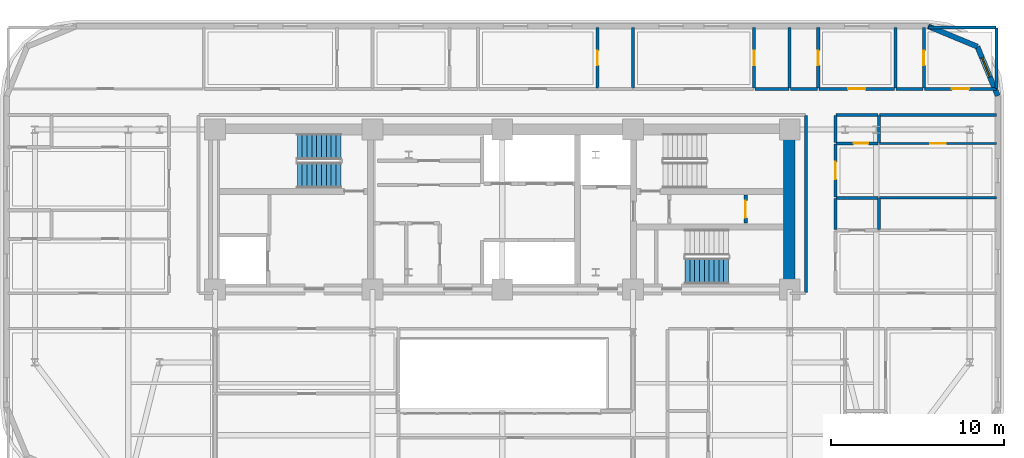
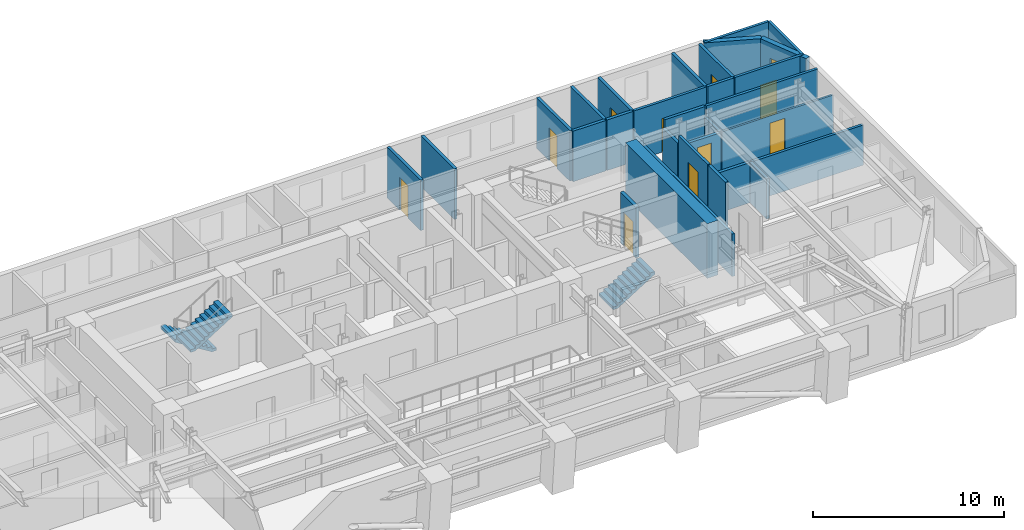
# One storey, part 11 of 15: 30 walls, 10 doors, 3 stair flights, 1 window, 11 openings, 2 elements without a shape of their own.
"""IFC4 building model written with IfcOpenShell, lengths in metres."""

from ifc_helpers import new_model, si_unit, direction, frame, frame_2d, origin, place, context, subcontext, project, spatial, polyline, rectangle, outline, extrude, material, layer, layer_set, type_object, element, fill, aggregate, save


model = new_model("IFC4")

# Units and contexts
model_context = context("Model", 3, precision=1e-05, world=origin(), true_north=direction((0.0, 1.0)))
body_context = subcontext(model_context, "Body", "Model", "MODEL_VIEW")
ifc_project = project(units=[si_unit("LENGTHUNIT", "METRE"), si_unit("AREAUNIT", "SQUARE_METRE"), si_unit("VOLUMEUNIT", "CUBIC_METRE"), si_unit("PLANEANGLEUNIT", "RADIAN"), si_unit("MASSUNIT", "GRAM", prefix="KILO")], contexts=[model_context])

# Site, building, storey
site_placement = place(None, origin())
site = spatial("IfcSite", under=ifc_project, at=site_placement, CompositionType="ELEMENT")
building_placement = place(site_placement, origin())
building = spatial("IfcBuilding", under=site, at=building_placement, Name="Zarnavel Station Tower", CompositionType="ELEMENT")
storey_placement = place(building_placement, frame((0.0, 0.0, 115.300048828125)))
storey = spatial("IfcBuildingStorey", under=building, at=storey_placement, Name="L31", CompositionType="ELEMENT", Elevation=115.300048828125)

# Wall
ifc_material_1 = material(Name="Concrete C60/75", Category="concrete")
ifc_layer_1 = layer(ifc_material_1, 0.64990234375)
ifc_layer_set_1 = layer_set([ifc_layer_1], Name="CW_650")
wall_type_1 = type_object("IfcWallType", Name="CW_650", PredefinedType="SHEAR", material=ifc_layer_set_1)
wall_1_placement = place(storey_placement, frame((45.3798828125, 28.14501953125, 0.0), z_axis=(0.0, 0.0, 1.0), x_axis=(0.0, 1.0, 0.0)))
element("IfcWall", 1, at=wall_1_placement, inside=storey, type_object=wall_type_1, Name="L31 Rear Core Shear Wall E", PredefinedType="SHEAR", context=body_context, shape_type="SweptSolid", body=[
    extrude(rectangle(XDim=8.580078125, YDim=0.64990234375, at=frame_2d((4.2900390625, 0.0))), origin(), (0.0, 0.0, 1.0), 3.5),
])

# Wall, opening, window
ifc_material_2 = material(Name="Precast concrete C45/55 (Dark Basalt Finish)", Category="masonry")
ifc_layer_2 = layer(ifc_material_2, 0.300048828125)
ifc_layer_set_2 = layer_set([ifc_layer_2], Name="EW_BASALT_300")
wall_type_2 = type_object("IfcWallType", Name="EW_BASALT_300", PredefinedType="SOLIDWALL", material=ifc_layer_set_2)
wall_2_placement = place(storey_placement, frame((56.24267578125, 41.842529296875, 0.0), z_axis=(0.0, 0.0, 1.0), x_axis=(0.382636798336, -0.92389884758, 0.0)))
wall_2 = element("IfcWall", 2, at=wall_2_placement, inside=storey, type_object=wall_type_2, Name="L31 Exterior Basalt Masonry Frame Wall 04", PredefinedType="SOLIDWALL", context=body_context, shape_type="SweptSolid", body=[
    extrude(rectangle(XDim=3.07666015625, YDim=0.300048828125, at=frame_2d((1.538330078125, 0.0))), origin(), (0.0, 0.0, 1.0), 3.239990234375),
])
opening_1_placement = place(wall_2_placement, frame((0.69287109375, 0.0, 0.75)))
opening_1 = element("IfcOpeningElement", 3, at=opening_1_placement, cuts=wall_2, Name="Opening WN08", PredefinedType="OPENING", context=body_context, shape_type="SweptSolid", body=[
    extrude(rectangle(XDim=1.199951171875, YDim=1.5, at=frame_2d((0.60009765625, 0.75))), frame((0.0, 0.159912109375, 0.0), z_axis=(0.0, -1.0, 0.0), x_axis=(1.0, 0.0, 0.0)), (0.0, 0.0, 1.0), 0.320068359375),
])
ifc_material_3 = material(Name="Thermally Broken Black Aluminium and Low-E Dark Glass", Category="aluminium")
window_type = type_object("IfcWindowType", Name="WN_1200x1500", PartitioningType="SINGLE_PANEL", PredefinedType="WINDOW", material=ifc_material_3)
window_placement = place(opening_1_placement, origin())
window = element("IfcWindow", 4, at=window_placement, inside=storey, type_object=window_type, Name="L31 Recessed Facade Window 01", OverallHeight=1.5, OverallWidth=1.199951171875, PartitioningType="SINGLE_PANEL", PredefinedType="WINDOW", context=body_context, shape_type="SweptSolid", body=[
    extrude(rectangle(XDim=1.199951171875, YDim=1.5, at=frame_2d((0.60009765625, 0.75))), frame((0.0, 0.030029296875, 0.0), z_axis=(0.0, -1.0, 0.0), x_axis=(1.0, 0.0, 0.0)), (0.0, 0.0, 1.0), 0.06005859375),
])
fill(opening_1, window)

# Wall
wall_3_placement = place(storey_placement, frame((53.39990234375, 43.02001953125, 0.0), z_axis=(0.0, 0.0, 1.0), x_axis=(0.923882414032, -0.382676475685, 0.0)))
element("IfcWall", 5, at=wall_3_placement, inside=storey, type_object=wall_type_2, Name="L31 Exterior Basalt Masonry Frame Wall 05", PredefinedType="SOLIDWALL", context=body_context, shape_type="SweptSolid", body=[
    extrude(rectangle(XDim=3.076904296875, YDim=0.300048828125, at=frame_2d((1.53857421875, 0.0))), origin(), (0.0, 0.0, 1.0), 3.239990234375),
])

# Wall, opening, door
ifc_material_4 = material(Name="Gypsum Twin-Stud Acoustic Fire Partition", Category="concrete")
ifc_layer_3 = layer(ifc_material_4, 0.159912109375)
ifc_layer_set_3 = layer_set([ifc_layer_3], Name="PT_DEMISE_160")
wall_type_3 = type_object("IfcWallType", Name="PT_DEMISE_160", PredefinedType="PARTITIONING", material=ifc_layer_set_3)
wall_4_placement = place(storey_placement, frame((48.050048828125, 33.14892578125, 0.0), z_axis=(0.0, 0.0, 1.0), x_axis=(0.0, 1.0, 0.0)))
wall_4 = element("IfcWall", 6, at=wall_4_placement, inside=storey, type_object=wall_type_3, Name="L31 Partition COR-E-FNE2R", PredefinedType="PARTITIONING", context=body_context, shape_type="SweptSolid", body=[
    extrude(rectangle(XDim=3.06103515625, YDim=0.159912109375, at=frame_2d((1.530517578125, 0.0))), origin(), (0.0, 0.0, 1.0), 3.239990234375),
])
opening_2_placement = place(wall_4_placement, frame((1.030517578125, 0.0, 0.0)))
opening_2 = element("IfcOpeningElement", 7, at=opening_2_placement, cuts=wall_4, Name="Opening FD02", PredefinedType="OPENING", context=body_context, shape_type="SweptSolid", body=[
    extrude(rectangle(XDim=1.0, YDim=2.14990234375, at=frame_2d((0.5, 1.074951171875))), frame((0.0, 0.08984375, 0.0), z_axis=(0.0, -1.0, 0.0), x_axis=(1.0, 0.0, 0.0)), (0.0, 0.0, 1.0), 0.179931640625),
])
ifc_material_5 = material(Name="Painted Galvanised Steel and Hardwood Leaf", Category="steel")
door_type_1 = type_object("IfcDoorType", Name="ID_ENTRY_1000", OperationType="NOTDEFINED", PredefinedType="DOOR", material=ifc_material_5)
door_1_placement = place(opening_2_placement, origin())
door_1 = element("IfcDoor", 8, at=door_1_placement, inside=storey, type_object=door_type_1, Name="L31 Door COR-E-FNE2R", OperationType="SINGLE_SWING_LEFT", OverallHeight=2.14990234375, OverallWidth=1.0, PredefinedType="DOOR", context=body_context, shape_type="SweptSolid", body=[
    extrude(rectangle(XDim=1.0, YDim=2.14990234375, at=frame_2d((0.5, 1.074951171875))), frame((0.0, 0.02490234375, 0.0), z_axis=(0.0, -1.0, 0.0), x_axis=(1.0, 0.0, 0.0)), (0.0, 0.0, 1.0), 0.050048828125),
])
fill(opening_2, door_1)

# Wall
wall_5_placement = place(storey_placement, frame((50.590087890625, 37.89990234375, 0.0), z_axis=(0.0, 0.0, 1.0), x_axis=(1.0, 0.0, 0.0)))
element("IfcWall", 9, at=wall_5_placement, inside=storey, type_object=wall_type_3, Name="L31 Partition COR-N-FNE2S", PredefinedType="PARTITIONING", context=body_context, shape_type="SweptSolid", body=[
    extrude(rectangle(XDim=6.75, YDim=0.159912109375, at=frame_2d((3.375, 0.0))), origin(), (0.0, 0.0, 1.0), 3.239990234375),
])

# Wall, opening, door
wall_6_placement = place(storey_placement, frame((47.090087890625, 39.39990234375, 0.0), z_axis=(0.0, 0.0, 1.0), x_axis=(1.0, 0.0, 0.0)))
wall_6 = element("IfcWall", 10, at=wall_6_placement, inside=storey, type_object=wall_type_3, Name="L31 Partition COR-N-HN5R", PredefinedType="PARTITIONING", context=body_context, shape_type="SweptSolid", body=[
    extrude(rectangle(XDim=4.3740234375, YDim=0.159912109375, at=frame_2d((2.18701171875, 0.0))), origin(), (0.0, 0.0, 1.0), 3.239990234375),
])
opening_3_placement = place(wall_6_placement, frame((1.68701171875, 0.0, 0.0)))
opening_3 = element("IfcOpeningElement", 11, at=opening_3_placement, cuts=wall_6, Name="Opening FD02", PredefinedType="OPENING", context=body_context, shape_type="SweptSolid", body=[
    extrude(rectangle(XDim=1.0, YDim=2.14990234375, at=frame_2d((0.5, 1.074951171875))), frame((0.0, 0.08984375, 0.0), z_axis=(0.0, -1.0, 0.0), x_axis=(1.0, 0.0, 0.0)), (0.0, 0.0, 1.0), 0.179931640625),
])
door_2_placement = place(opening_3_placement, origin())
door_2 = element("IfcDoor", 12, at=door_2_placement, inside=storey, type_object=door_type_1, Name="L31 Door COR-N-HN5R", OperationType="SINGLE_SWING_LEFT", OverallHeight=2.14990234375, OverallWidth=1.0, PredefinedType="DOOR", context=body_context, shape_type="SweptSolid", body=[
    extrude(rectangle(XDim=1.0, YDim=2.14990234375, at=frame_2d((0.5, 1.074951171875))), frame((0.0, 0.02490234375, 0.0), z_axis=(0.0, -1.0, 0.0), x_axis=(1.0, 0.0, 0.0)), (0.0, 0.0, 1.0), 0.050048828125),
])
fill(opening_3, door_2)

wall_7_placement = place(storey_placement, frame((53.194091796875, 39.39990234375, 0.0), z_axis=(0.0, 0.0, 1.0), x_axis=(1.0, 0.0, 0.0)))
wall_7 = element("IfcWall", 13, at=wall_7_placement, inside=storey, type_object=wall_type_3, Name="L31 Partition COR-N-HN6R", PredefinedType="PARTITIONING", context=body_context, shape_type="SweptSolid", body=[
    extrude(rectangle(XDim=4.14599609375, YDim=0.159912109375, at=frame_2d((2.072998046875, 0.0))), origin(), (0.0, 0.0, 1.0), 3.239990234375),
])
opening_4_placement = place(wall_7_placement, frame((1.572998046875, 0.0, 0.0)))
opening_4 = element("IfcOpeningElement", 14, at=opening_4_placement, cuts=wall_7, Name="Opening FD02", PredefinedType="OPENING", context=body_context, shape_type="SweptSolid", body=[
    extrude(rectangle(XDim=1.0, YDim=2.14990234375, at=frame_2d((0.5, 1.074951171875))), frame((0.0, 0.08984375, 0.0), z_axis=(0.0, -1.0, 0.0), x_axis=(1.0, 0.0, 0.0)), (0.0, 0.0, 1.0), 0.179931640625),
])
door_3_placement = place(opening_4_placement, origin())
door_3 = element("IfcDoor", 15, at=door_3_placement, inside=storey, type_object=door_type_1, Name="L31 Door COR-N-HN6R", OperationType="SINGLE_SWING_RIGHT", OverallHeight=2.14990234375, OverallWidth=1.0, PredefinedType="DOOR", context=body_context, shape_type="SweptSolid", body=[
    extrude(rectangle(XDim=1.0, YDim=2.14990234375, at=frame_2d((0.5, 1.074951171875))), frame((0.0, 0.02490234375, 0.0), z_axis=(0.0, -1.0, 0.0), x_axis=(1.0, 0.0, 0.0)), (0.0, 0.0, 1.0), 0.050048828125),
])
fill(opening_4, door_3)

# Walls
wall_8_placement = place(storey_placement, frame((50.590087890625, 33.10888671875, 0.0), z_axis=(0.0, 0.0, 1.0), x_axis=(1.0, 0.0, 0.0)))
element("IfcWall", 16, at=wall_8_placement, inside=storey, type_object=wall_type_3, Name="L31 Partition FNE1S-FNE2R", PredefinedType="PARTITIONING", context=body_context, shape_type="SweptSolid", body=[
    extrude(rectangle(XDim=6.75, YDim=0.159912109375, at=frame_2d((3.375, 0.0))), origin(), (0.0, 0.0, 1.0), 2.570068359375),
])
wall_9_placement = place(storey_placement, frame((46.35009765625, 27.6298828125, 0.0), z_axis=(0.0, 0.0, 1.0), x_axis=(0.0, 1.0, 0.0)))
element("IfcWall", 17, at=wall_9_placement, inside=storey, type_object=wall_type_3, Name="L31 Enclosure Wall COR-E", PredefinedType="PARTITIONING", context=body_context, shape_type="SweptSolid", body=[
    extrude(rectangle(XDim=10.240234375, YDim=0.159912109375, at=frame_2d((5.1201171875, 0.0))), origin(), (0.0, 0.0, 1.0), 2.719970703125),
])
wall_10_placement = place(storey_placement, frame((53.429931640625, 42.93994140625, 0.0), z_axis=(0.0, 0.0, 1.0), x_axis=(1.0, 0.0, 0.0)))
element("IfcWall", 18, at=wall_10_placement, inside=storey, type_object=wall_type_3, Name="L31 Enclosure Wall HN6R", PredefinedType="PARTITIONING", context=body_context, shape_type="SweptSolid", body=[
    extrude(rectangle(XDim=3.880126953125, YDim=0.159912109375, at=frame_2d((1.93994140625, 0.0))), origin(), (0.0, 0.0, 1.0), 3.239990234375),
])
wall_11_placement = place(storey_placement, frame((57.340087890625, 39.429931640625, 0.0), z_axis=(0.0, 0.0, 1.0), x_axis=(0.0, 1.0, 0.0)))
element("IfcWall", 19, at=wall_11_placement, inside=storey, type_object=wall_type_3, Name="L31 Enclosure Wall HN6R", PredefinedType="PARTITIONING", context=body_context, shape_type="SweptSolid", body=[
    extrude(rectangle(XDim=3.47998046875, YDim=0.159912109375, at=frame_2d((1.739990234375, 0.0))), origin(), (0.0, 0.0, 1.0), 3.239990234375),
])

# Wall, opening, door
ifc_material_6 = material(Name="Gypsum Metal-Stud Interior Partition", Category="concrete")
ifc_layer_4 = layer(ifc_material_6, 0.1201171875)
ifc_layer_set_4 = layer_set([ifc_layer_4], Name="PT_ROOM_120")
wall_type_4 = type_object("IfcWallType", Name="PT_ROOM_120", PredefinedType="PARTITIONING", material=ifc_layer_set_4)
wall_12_placement = place(storey_placement, frame((50.590087890625, 36.25, 0.0), z_axis=(0.0, 0.0, 1.0), x_axis=(1.0, 0.0, 0.0)))
wall_12 = element("IfcWall", 20, at=wall_12_placement, inside=storey, type_object=wall_type_4, Name="L31 Partition FNE2R-FNE2S", PredefinedType="PARTITIONING", context=body_context, shape_type="SweptSolid", body=[
    extrude(rectangle(XDim=6.75, YDim=0.1201171875, at=frame_2d((3.375, 0.0))), origin(), (0.0, 0.0, 1.0), 2.570068359375),
])
opening_5_placement = place(wall_12_placement, frame((2.925048828125, 0.0, 0.0)))
opening_5 = element("IfcOpeningElement", 21, at=opening_5_placement, cuts=wall_12, Name="Opening ID01", PredefinedType="OPENING", context=body_context, shape_type="SweptSolid", body=[
    extrude(rectangle(XDim=0.89990234375, YDim=2.10009765625, at=frame_2d((0.449951171875, 1.050048828125))), frame((0.0, 0.070068359375, 0.0), z_axis=(0.0, -1.0, 0.0), x_axis=(1.0, 0.0, 0.0)), (0.0, 0.0, 1.0), 0.14013671875),
])
ifc_material_7 = material(Name="Painted Galvanised Steel and Hardwood Leaf", Category="steel")
door_type_2 = type_object("IfcDoorType", Name="ID_ROOM_900", OperationType="NOTDEFINED", PredefinedType="DOOR", material=ifc_material_7)
door_4_placement = place(opening_5_placement, origin())
door_4 = element("IfcDoor", 22, at=door_4_placement, inside=storey, type_object=door_type_2, Name="L31 Door FNE2R-FNE2S", OperationType="SINGLE_SWING_LEFT", OverallHeight=2.10009765625, OverallWidth=0.89990234375, PredefinedType="DOOR", context=body_context, shape_type="SweptSolid", body=[
    extrude(rectangle(XDim=0.89990234375, YDim=2.10009765625, at=frame_2d((0.449951171875, 1.050048828125))), frame((0.0, 0.02490234375, 0.0), z_axis=(0.0, -1.0, 0.0), x_axis=(1.0, 0.0, 0.0)), (0.0, 0.0, 1.0), 0.050048828125),
])
fill(opening_5, door_4)

ifc_material_8 = material(Name="Precast concrete C45/55 (Fire Shaft Blockwork)", Category="masonry")
ifc_layer_5 = layer(ifc_material_8, 0.199951171875)
ifc_layer_set_5 = layer_set([ifc_layer_5], Name="PT_SHAFT_200")
wall_type_5 = type_object("IfcWallType", Name="PT_SHAFT_200", PredefinedType="PARTITIONING", material=ifc_layer_set_5)
wall_13_placement = place(storey_placement, frame((42.85009765625, 31.639892578125, 0.0), z_axis=(0.0, 0.0, 1.0), x_axis=(0.0, 1.0, 0.0)))
wall_13 = element("IfcWall", 23, at=wall_13_placement, inside=storey, type_object=wall_type_5, Name="L31 Partition CEA-CEB", PredefinedType="PARTITIONING", context=body_context, shape_type="SweptSolid", body=[
    extrude(rectangle(XDim=1.6201171875, YDim=0.199951171875, at=frame_2d((0.81005859375, 0.0))), origin(), (0.0, 0.0, 1.0), 3.239990234375),
])
opening_6_placement = place(wall_13_placement, frame((0.31005859375, 0.0, 0.0)))
opening_6 = element("IfcOpeningElement", 24, at=opening_6_placement, cuts=wall_13, Name="Opening FD02", PredefinedType="OPENING", context=body_context, shape_type="SweptSolid", body=[
    extrude(rectangle(XDim=1.0, YDim=2.14990234375, at=frame_2d((0.5, 1.074951171875))), frame((0.0, 0.10986328125, 0.0), z_axis=(0.0, -1.0, 0.0), x_axis=(1.0, 0.0, 0.0)), (0.0, 0.0, 1.0), 0.219970703125),
])
door_5_placement = place(opening_6_placement, origin())
door_5 = element("IfcDoor", 25, at=door_5_placement, inside=storey, type_object=door_type_1, Name="L31 Door CEA-CEB", OperationType="SINGLE_SWING_RIGHT", OverallHeight=2.14990234375, OverallWidth=1.0, PredefinedType="DOOR", context=body_context, shape_type="SweptSolid", body=[
    extrude(rectangle(XDim=1.0, YDim=2.14990234375, at=frame_2d((0.5, 1.074951171875))), frame((0.0, 0.02490234375, 0.0), z_axis=(0.0, -1.0, 0.0), x_axis=(1.0, 0.0, 0.0)), (0.0, 0.0, 1.0), 0.050048828125),
])
fill(opening_6, door_5)

# Walls
ifc_material_9 = material(Name="Moisture-Resistant Plumbing Chase Wall", Category="concrete")
ifc_layer_6 = layer(ifc_material_9, 0.179931640625)
ifc_layer_set_6 = layer_set([ifc_layer_6], Name="PW_PLUMB_180")
wall_type_6 = type_object("IfcWallType", Name="PW_PLUMB_180", PredefinedType="PLUMBINGWALL", material=ifc_layer_set_6)
wall_14_placement = place(storey_placement, frame((48.050048828125, 31.27587890625, 0.0), z_axis=(0.0, 0.0, 1.0), x_axis=(0.0, 1.0, 0.0)))
element("IfcWall", 26, at=wall_14_placement, inside=storey, type_object=wall_type_6, Name="L31 Partition COR-E-FNE1B", PredefinedType="PLUMBINGWALL", context=body_context, shape_type="SweptSolid", body=[
    extrude(rectangle(XDim=1.793212890625, YDim=0.179931640625, at=frame_2d((0.896484375, 0.0))), origin(), (0.0, 0.0, 1.0), 3.239990234375),
])
wall_15_placement = place(storey_placement, frame((48.050048828125, 36.2900390625, 0.0), z_axis=(0.0, 0.0, 1.0), x_axis=(0.0, 1.0, 0.0)))
element("IfcWall", 27, at=wall_15_placement, inside=storey, type_object=wall_type_6, Name="L31 Partition COR-E-FNE2B", PredefinedType="PLUMBINGWALL", context=body_context, shape_type="SweptSolid", body=[
    extrude(rectangle(XDim=1.570068359375, YDim=0.179931640625, at=frame_2d((0.78515625, 0.0))), origin(), (0.0, 0.0, 1.0), 2.719970703125),
])
wall_16_placement = place(storey_placement, frame((48.090087890625, 37.89990234375, 0.0), z_axis=(0.0, 0.0, 1.0), x_axis=(1.0, 0.0, 0.0)))
element("IfcWall", 28, at=wall_16_placement, inside=storey, type_object=wall_type_6, Name="L31 Partition COR-N-FNE2B", PredefinedType="PLUMBINGWALL", context=body_context, shape_type="SweptSolid", body=[
    extrude(rectangle(XDim=2.419921875, YDim=0.179931640625, at=frame_2d((1.2099609375, 0.0))), origin(), (0.0, 0.0, 1.0), 3.239990234375),
])
wall_17_placement = place(storey_placement, frame((43.389892578125, 39.39990234375, 0.0), z_axis=(0.0, 0.0, 1.0), x_axis=(1.0, 0.0, 0.0)))
element("IfcWall", 29, at=wall_17_placement, inside=storey, type_object=wall_type_6, Name="L31 Partition COR-N-HN4B", PredefinedType="PLUMBINGWALL", context=body_context, shape_type="SweptSolid", body=[
    extrude(rectangle(XDim=1.97021484375, YDim=0.179931640625, at=frame_2d((0.985107421875, 0.0))), origin(), (0.0, 0.0, 1.0), 3.239990234375),
])
for number, where, z_axis, x_axis, name in (
    (30, (45.43994140625, 39.39990234375, 0.0), (0.0, 0.0, 1.0), (1.0, 0.0, 0.0), "L31 Partition COR-N-HN5B"),
    (31, (51.5439453125, 39.39990234375, 0.0), (0.0, 0.0, 1.0), (1.0, 0.0, 0.0), "L31 Partition COR-N-HN6B"),
):
    element("IfcWall", number, at=place(storey_placement, frame(where, z_axis=z_axis, x_axis=x_axis)), inside=storey, type_object=wall_type_6, Name=name, PredefinedType="PLUMBINGWALL", context=body_context, shape_type="SweptSolid", body=[
        extrude(rectangle(XDim=1.570068359375, YDim=0.179931640625, at=frame_2d((0.78515625, 0.0))), origin(), (0.0, 0.0, 1.0), 3.239990234375),
    ])
wall_18_placement = place(storey_placement, frame((50.550048828125, 31.27587890625, 0.0), z_axis=(0.0, 0.0, 1.0), x_axis=(0.0, 1.0, 0.0)))
element("IfcWall", 32, at=wall_18_placement, inside=storey, type_object=wall_type_6, Name="L31 Partition FNE1B-FNE1S", PredefinedType="PLUMBINGWALL", context=body_context, shape_type="SweptSolid", body=[
    extrude(rectangle(XDim=1.793212890625, YDim=0.179931640625, at=frame_2d((0.896484375, 0.0))), origin(), (0.0, 0.0, 1.0), 2.570068359375),
])
wall_19_placement = place(storey_placement, frame((48.090087890625, 33.10888671875, 0.0), z_axis=(0.0, 0.0, 1.0), x_axis=(1.0, 0.0, 0.0)))
element("IfcWall", 33, at=wall_19_placement, inside=storey, type_object=wall_type_6, Name="L31 Partition FNE1B-FNE2R", PredefinedType="PLUMBINGWALL", context=body_context, shape_type="SweptSolid", body=[
    extrude(rectangle(XDim=2.419921875, YDim=0.179931640625, at=frame_2d((1.2099609375, 0.0))), origin(), (0.0, 0.0, 1.0), 2.570068359375),
])

# Wall, opening, door
wall_20_placement = place(storey_placement, frame((50.510009765625, 36.25, 0.0), z_axis=(0.0, 0.0, 1.0), x_axis=(-1.0, 0.0, 0.0)))
wall_20 = element("IfcWall", 34, at=wall_20_placement, inside=storey, type_object=wall_type_6, Name="L31 Partition FNE2R-FNE2B", PredefinedType="PLUMBINGWALL", context=body_context, shape_type="SweptSolid", body=[
    extrude(rectangle(XDim=2.419921875, YDim=0.179931640625, at=frame_2d((1.2099609375, 0.0))), origin(), (0.0, 0.0, 1.0), 2.570068359375),
])
opening_7_placement = place(wall_20_placement, frame((0.570068359375, 0.0, 0.0)))
opening_7 = element("IfcOpeningElement", 35, at=opening_7_placement, cuts=wall_20, Name="Opening ID02", PredefinedType="OPENING", context=body_context, shape_type="SweptSolid", body=[
    extrude(rectangle(XDim=0.85009765625, YDim=2.10009765625, at=frame_2d((0.425048828125, 1.050048828125))), frame((0.0, 0.099853515625, 0.0), z_axis=(0.0, -1.0, 0.0), x_axis=(1.0, 0.0, 0.0)), (0.0, 0.0, 1.0), 0.199951171875),
])
ifc_material_10 = material(Name="Painted Galvanised Steel and Hardwood Leaf", Category="steel")
door_type_3 = type_object("IfcDoorType", Name="ID_BATH_850", OperationType="NOTDEFINED", PredefinedType="DOOR", material=ifc_material_10)
door_6_placement = place(opening_7_placement, origin())
door_6 = element("IfcDoor", 36, at=door_6_placement, inside=storey, type_object=door_type_3, Name="L31 Door FNE2R-FNE2B", OperationType="SINGLE_SWING_RIGHT", OverallHeight=2.10009765625, OverallWidth=0.85009765625, PredefinedType="DOOR", context=body_context, shape_type="SweptSolid", body=[
    extrude(rectangle(XDim=0.85009765625, YDim=2.10009765625, at=frame_2d((0.425048828125, 1.050048828125))), frame((0.0, 0.02490234375, 0.0), z_axis=(0.0, -1.0, 0.0), x_axis=(1.0, 0.0, 0.0)), (0.0, 0.0, 1.0), 0.050048828125),
])
fill(opening_7, door_6)

# Wall
wall_21_placement = place(storey_placement, frame((50.550048828125, 36.2900390625, 0.0), z_axis=(0.0, 0.0, 1.0), x_axis=(0.0, 1.0, 0.0)))
element("IfcWall", 37, at=wall_21_placement, inside=storey, type_object=wall_type_6, Name="L31 Partition FNE2B-FNE2S", PredefinedType="PLUMBINGWALL", context=body_context, shape_type="SweptSolid", body=[
    extrude(rectangle(XDim=1.570068359375, YDim=0.179931640625, at=frame_2d((0.78515625, 0.0))), origin(), (0.0, 0.0, 1.0), 2.570068359375),
])

# Wall, opening, door
wall_22_placement = place(storey_placement, frame((34.300048828125, 39.43994140625, 0.0), z_axis=(0.0, 0.0, 1.0), x_axis=(0.0, 1.0, 0.0)))
wall_22 = element("IfcWall", 38, at=wall_22_placement, inside=storey, type_object=wall_type_6, Name="L31 Partition HN3R-HN3B", PredefinedType="PLUMBINGWALL", context=body_context, shape_type="SweptSolid", body=[
    extrude(rectangle(XDim=3.5, YDim=0.179931640625, at=frame_2d((1.75, 0.0))), origin(), (0.0, 0.0, 1.0), 3.239990234375),
])
opening_8_placement = place(wall_22_placement, frame((1.324951171875, 0.0, 0.0)))
opening_8 = element("IfcOpeningElement", 39, at=opening_8_placement, cuts=wall_22, Name="Opening ID02", PredefinedType="OPENING", context=body_context, shape_type="SweptSolid", body=[
    extrude(rectangle(XDim=0.85009765625, YDim=2.10009765625, at=frame_2d((0.425048828125, 1.050048828125))), frame((0.0, 0.099853515625, 0.0), z_axis=(0.0, -1.0, 0.0), x_axis=(1.0, 0.0, 0.0)), (0.0, 0.0, 1.0), 0.199951171875),
])
door_7_placement = place(opening_8_placement, origin())
door_7 = element("IfcDoor", 40, at=door_7_placement, inside=storey, type_object=door_type_3, Name="L31 Door HN3R-HN3B", OperationType="SINGLE_SWING_RIGHT", OverallHeight=2.10009765625, OverallWidth=0.85009765625, PredefinedType="DOOR", context=body_context, shape_type="SweptSolid", body=[
    extrude(rectangle(XDim=0.85009765625, YDim=2.10009765625, at=frame_2d((0.425048828125, 1.050048828125))), frame((0.0, 0.02490234375, 0.0), z_axis=(0.0, -1.0, 0.0), x_axis=(1.0, 0.0, 0.0)), (0.0, 0.0, 1.0), 0.050048828125),
])
fill(opening_8, door_7)

# Wall
wall_23_placement = place(storey_placement, frame((36.35009765625, 39.43994140625, 0.0), z_axis=(0.0, 0.0, 1.0), x_axis=(0.0, 1.0, 0.0)))
element("IfcWall", 41, at=wall_23_placement, inside=storey, type_object=wall_type_6, Name="L31 Partition HN3B-HN4R", PredefinedType="PLUMBINGWALL", context=body_context, shape_type="SweptSolid", body=[
    extrude(rectangle(XDim=3.5, YDim=0.179931640625, at=frame_2d((1.75, 0.0))), origin(), (0.0, 0.0, 1.0), 3.239990234375),
])

# Wall, opening, door
wall_24_placement = place(storey_placement, frame((43.35009765625, 39.43994140625, 0.0), z_axis=(0.0, 0.0, 1.0), x_axis=(0.0, 1.0, 0.0)))
wall_24 = element("IfcWall", 42, at=wall_24_placement, inside=storey, type_object=wall_type_6, Name="L31 Partition HN4R-HN4B", PredefinedType="PLUMBINGWALL", context=body_context, shape_type="SweptSolid", body=[
    extrude(rectangle(XDim=3.5, YDim=0.179931640625, at=frame_2d((1.75, 0.0))), origin(), (0.0, 0.0, 1.0), 3.239990234375),
])
opening_9_placement = place(wall_24_placement, frame((1.324951171875, 0.0, 0.0)))
opening_9 = element("IfcOpeningElement", 43, at=opening_9_placement, cuts=wall_24, Name="Opening ID02", PredefinedType="OPENING", context=body_context, shape_type="SweptSolid", body=[
    extrude(rectangle(XDim=0.85009765625, YDim=2.10009765625, at=frame_2d((0.425048828125, 1.050048828125))), frame((0.0, 0.099853515625, 0.0), z_axis=(0.0, -1.0, 0.0), x_axis=(1.0, 0.0, 0.0)), (0.0, 0.0, 1.0), 0.199951171875),
])
door_8_placement = place(opening_9_placement, origin())
door_8 = element("IfcDoor", 44, at=door_8_placement, inside=storey, type_object=door_type_3, Name="L31 Door HN4R-HN4B", OperationType="SINGLE_SWING_LEFT", OverallHeight=2.10009765625, OverallWidth=0.85009765625, PredefinedType="DOOR", context=body_context, shape_type="SweptSolid", body=[
    extrude(rectangle(XDim=0.85009765625, YDim=2.10009765625, at=frame_2d((0.425048828125, 1.050048828125))), frame((0.0, 0.02490234375, 0.0), z_axis=(0.0, -1.0, 0.0), x_axis=(1.0, 0.0, 0.0)), (0.0, 0.0, 1.0), 0.050048828125),
])
fill(opening_9, door_8)

# Wall
wall_25_placement = place(storey_placement, frame((45.39990234375, 39.43994140625, 0.0), z_axis=(0.0, 0.0, 1.0), x_axis=(0.0, 1.0, 0.0)))
element("IfcWall", 45, at=wall_25_placement, inside=storey, type_object=wall_type_6, Name="L31 Partition HN4B-HN5B", PredefinedType="PLUMBINGWALL", context=body_context, shape_type="SweptSolid", body=[
    extrude(rectangle(XDim=3.5, YDim=0.179931640625, at=frame_2d((1.75, 0.0))), origin(), (0.0, 0.0, 1.0), 3.239990234375),
])

# Wall, opening, door
wall_26_placement = place(storey_placement, frame((47.050048828125, 39.43994140625, 0.0), z_axis=(0.0, 0.0, 1.0), x_axis=(0.0, 1.0, 0.0)))
wall_26 = element("IfcWall", 46, at=wall_26_placement, inside=storey, type_object=wall_type_6, Name="L31 Partition HN5R-HN5B", PredefinedType="PLUMBINGWALL", context=body_context, shape_type="SweptSolid", body=[
    extrude(rectangle(XDim=3.5, YDim=0.179931640625, at=frame_2d((1.75, 0.0))), origin(), (0.0, 0.0, 1.0), 3.239990234375),
])
opening_10_placement = place(wall_26_placement, frame((1.324951171875, 0.0, 0.0)))
opening_10 = element("IfcOpeningElement", 47, at=opening_10_placement, cuts=wall_26, Name="Opening ID02", PredefinedType="OPENING", context=body_context, shape_type="SweptSolid", body=[
    extrude(rectangle(XDim=0.85009765625, YDim=2.10009765625, at=frame_2d((0.425048828125, 1.050048828125))), frame((0.0, 0.099853515625, 0.0), z_axis=(0.0, -1.0, 0.0), x_axis=(1.0, 0.0, 0.0)), (0.0, 0.0, 1.0), 0.199951171875),
])
door_9_placement = place(opening_10_placement, origin())
door_9 = element("IfcDoor", 48, at=door_9_placement, inside=storey, type_object=door_type_3, Name="L31 Door HN5R-HN5B", OperationType="SINGLE_SWING_RIGHT", OverallHeight=2.10009765625, OverallWidth=0.85009765625, PredefinedType="DOOR", context=body_context, shape_type="SweptSolid", body=[
    extrude(rectangle(XDim=0.85009765625, YDim=2.10009765625, at=frame_2d((0.425048828125, 1.050048828125))), frame((0.0, 0.02490234375, 0.0), z_axis=(0.0, -1.0, 0.0), x_axis=(1.0, 0.0, 0.0)), (0.0, 0.0, 1.0), 0.050048828125),
])
fill(opening_10, door_9)

# Wall
wall_27_placement = place(storey_placement, frame((51.50390625, 39.43994140625, 0.0), z_axis=(0.0, 0.0, 1.0), x_axis=(0.0, 1.0, 0.0)))
element("IfcWall", 49, at=wall_27_placement, inside=storey, type_object=wall_type_6, Name="L31 Partition HN5R-HN6B", PredefinedType="PLUMBINGWALL", context=body_context, shape_type="SweptSolid", body=[
    extrude(rectangle(XDim=3.5, YDim=0.179931640625, at=frame_2d((1.75, 0.0))), origin(), (0.0, 0.0, 1.0), 3.239990234375),
])

# Wall, opening, door
wall_28_placement = place(storey_placement, frame((53.154052734375, 39.43994140625, 0.0), z_axis=(0.0, 0.0, 1.0), x_axis=(0.0, 1.0, 0.0)))
wall_28 = element("IfcWall", 50, at=wall_28_placement, inside=storey, type_object=wall_type_6, Name="L31 Partition HN6R-HN6B", PredefinedType="PLUMBINGWALL", context=body_context, shape_type="SweptSolid", body=[
    extrude(rectangle(XDim=3.5, YDim=0.179931640625, at=frame_2d((1.75, 0.0))), origin(), (0.0, 0.0, 1.0), 3.239990234375),
])
opening_11_placement = place(wall_28_placement, frame((1.324951171875, 0.0, 0.0)))
opening_11 = element("IfcOpeningElement", 51, at=opening_11_placement, cuts=wall_28, Name="Opening ID02", PredefinedType="OPENING", context=body_context, shape_type="SweptSolid", body=[
    extrude(rectangle(XDim=0.85009765625, YDim=2.10009765625, at=frame_2d((0.425048828125, 1.050048828125))), frame((0.0, 0.099853515625, 0.0), z_axis=(0.0, -1.0, 0.0), x_axis=(1.0, 0.0, 0.0)), (0.0, 0.0, 1.0), 0.199951171875),
])
door_10_placement = place(opening_11_placement, origin())
door_10 = element("IfcDoor", 52, at=door_10_placement, inside=storey, type_object=door_type_3, Name="L31 Door HN6R-HN6B", OperationType="SINGLE_SWING_LEFT", OverallHeight=2.10009765625, OverallWidth=0.85009765625, PredefinedType="DOOR", context=body_context, shape_type="SweptSolid", body=[
    extrude(rectangle(XDim=0.85009765625, YDim=2.10009765625, at=frame_2d((0.425048828125, 1.050048828125))), frame((0.0, 0.02490234375, 0.0), z_axis=(0.0, -1.0, 0.0), x_axis=(1.0, 0.0, 0.0)), (0.0, 0.0, 1.0), 0.050048828125),
])
fill(opening_11, door_10)

# Stair, stair flights
ifc_material_11 = material(Name="Concrete C45/55", Category="concrete")
stair_type = type_object("IfcStairType", Name="ST_CORE_150", PredefinedType="HALF_TURN_STAIR", material=ifc_material_11)
stair_1_placement = place(storey_placement, origin())
stair_1 = element("IfcStair", 53, at=stair_1_placement, inside=storey, type_object=stair_type, Name="L31 Core Exit Stair ST1", PredefinedType="HALF_TURN_STAIR")
ifc_material_12 = material(Name="Concrete C45/55", Category="concrete")
ifc_layer_7 = layer(ifc_material_12, 0.179931640625)
ifc_layer_set_7 = layer_set([ifc_layer_7], Name="ST_CORE_150_FLT")
stair_flight_type = type_object("IfcStairFlightType", Name="ST_CORE_150_FLT", PredefinedType="STRAIGHT", material=ifc_layer_set_7)
stair_flight_1_placement = place(storey_placement, frame((19.47998046875, 36.070068359375, 0.0), z_axis=(0.0, 0.0, 1.0), x_axis=(-1.0, 0.0, 0.0)))
stair_flight_1 = element("IfcStairFlight", 54, at=stair_flight_1_placement, type_object=stair_flight_type, Name="ST1 flight 1", NumberOfRisers=10, NumberOfTreads=9, PredefinedType="STRAIGHT", RiserHeight=0.175, TreadLength=0.28, context=body_context, shape_type="SweptSolid", body=[
    extrude(outline(polyline([(0.0, 0.0), (0.0, 0.175048828125), (0.280029296875, 0.175048828125), (0.280029296875, 0.35009765625), (0.56005859375, 0.35009765625), (0.56005859375, 0.52490234375), (0.840087890625, 0.52490234375), (0.840087890625, 0.699951171875), (1.1201171875, 0.699951171875), (1.1201171875, 0.875), (1.39990234375, 0.875), (1.39990234375, 1.050048828125), (1.679931640625, 1.050048828125), (1.679931640625, 1.22509765625), (1.9599609375, 1.22509765625), (1.9599609375, 1.39990234375), (2.239990234375, 1.39990234375), (2.239990234375, 1.574951171875), (2.52001953125, 1.574951171875), (2.52001953125, 1.75), (2.52001953125, 1.398193359375), (0.28271484375, 0.0), (0.0, 0.0)])), frame((0.0, 0.75, 0.0), z_axis=(0.0, -1.0, 0.0), x_axis=(1.0, 0.0, 0.0)), (0.0, 0.0, 1.0), 1.5),
])
stair_flight_2_placement = place(storey_placement, frame((16.9599609375, 34.409912109375, 1.75), z_axis=(0.0, 0.0, 1.0), x_axis=(1.0, 0.0, 0.0)))
stair_flight_2 = element("IfcStairFlight", 55, at=stair_flight_2_placement, type_object=stair_flight_type, Name="ST1 flight 2", NumberOfRisers=10, NumberOfTreads=9, PredefinedType="STRAIGHT", RiserHeight=0.175, TreadLength=0.28, context=body_context, shape_type="SweptSolid", body=[
    extrude(outline(polyline([(0.0, 0.0), (0.0, 0.175048828125), (0.280029296875, 0.175048828125), (0.280029296875, 0.35009765625), (0.56005859375, 0.35009765625), (0.56005859375, 0.52490234375), (0.840087890625, 0.52490234375), (0.840087890625, 0.699951171875), (1.1201171875, 0.699951171875), (1.1201171875, 0.875), (1.39990234375, 0.875), (1.39990234375, 1.050048828125), (1.679931640625, 1.050048828125), (1.679931640625, 1.22509765625), (1.9599609375, 1.22509765625), (1.9599609375, 1.39990234375), (2.239990234375, 1.39990234375), (2.239990234375, 1.574951171875), (2.52001953125, 1.574951171875), (2.52001953125, 1.75), (2.52001953125, 1.398193359375), (0.28271484375, 0.0), (0.0, 0.0)])), frame((0.0, 0.75, 0.0), z_axis=(0.0, -1.0, 0.0), x_axis=(1.0, 0.0, 0.0)), (0.0, 0.0, 1.0), 1.5),
])
aggregate(stair_1, [stair_flight_1, stair_flight_2])

# Stair, stair flight
stair_2_placement = place(storey_placement, origin())
stair_2 = element("IfcStair", 56, at=stair_2_placement, inside=storey, type_object=stair_type, Name="L31 Core Exit Stair ST3", PredefinedType="HALF_TURN_STAIR")
stair_flight_3_placement = place(storey_placement, frame((39.35009765625, 28.8701171875, 0.0), z_axis=(0.0, 0.0, 1.0), x_axis=(1.0, 0.0, 0.0)))
stair_flight_3 = element("IfcStairFlight", 57, at=stair_flight_3_placement, type_object=stair_flight_type, Name="ST3 flight 1", NumberOfRisers=10, NumberOfTreads=9, PredefinedType="STRAIGHT", RiserHeight=0.175, TreadLength=0.28, context=body_context, shape_type="SweptSolid", body=[
    extrude(outline(polyline([(0.0, 0.0), (0.0, 0.175048828125), (0.280029296875, 0.175048828125), (0.280029296875, 0.35009765625), (0.56005859375, 0.35009765625), (0.56005859375, 0.52490234375), (0.840087890625, 0.52490234375), (0.840087890625, 0.699951171875), (1.1201171875, 0.699951171875), (1.1201171875, 0.875), (1.39990234375, 0.875), (1.39990234375, 1.050048828125), (1.679931640625, 1.050048828125), (1.679931640625, 1.22509765625), (1.9599609375, 1.22509765625), (1.9599609375, 1.39990234375), (2.239990234375, 1.39990234375), (2.239990234375, 1.574951171875), (2.52001953125, 1.574951171875), (2.52001953125, 1.75), (2.52001953125, 1.398193359375), (0.28271484375, 0.0), (0.0, 0.0)])), frame((0.0, 0.75, 0.0), z_axis=(0.0, -1.0, 0.0), x_axis=(1.0, 0.0, 0.0)), (0.0, 0.0, 1.0), 1.5),
])
aggregate(stair_2, [stair_flight_3])

save(model, "model.ifc")
